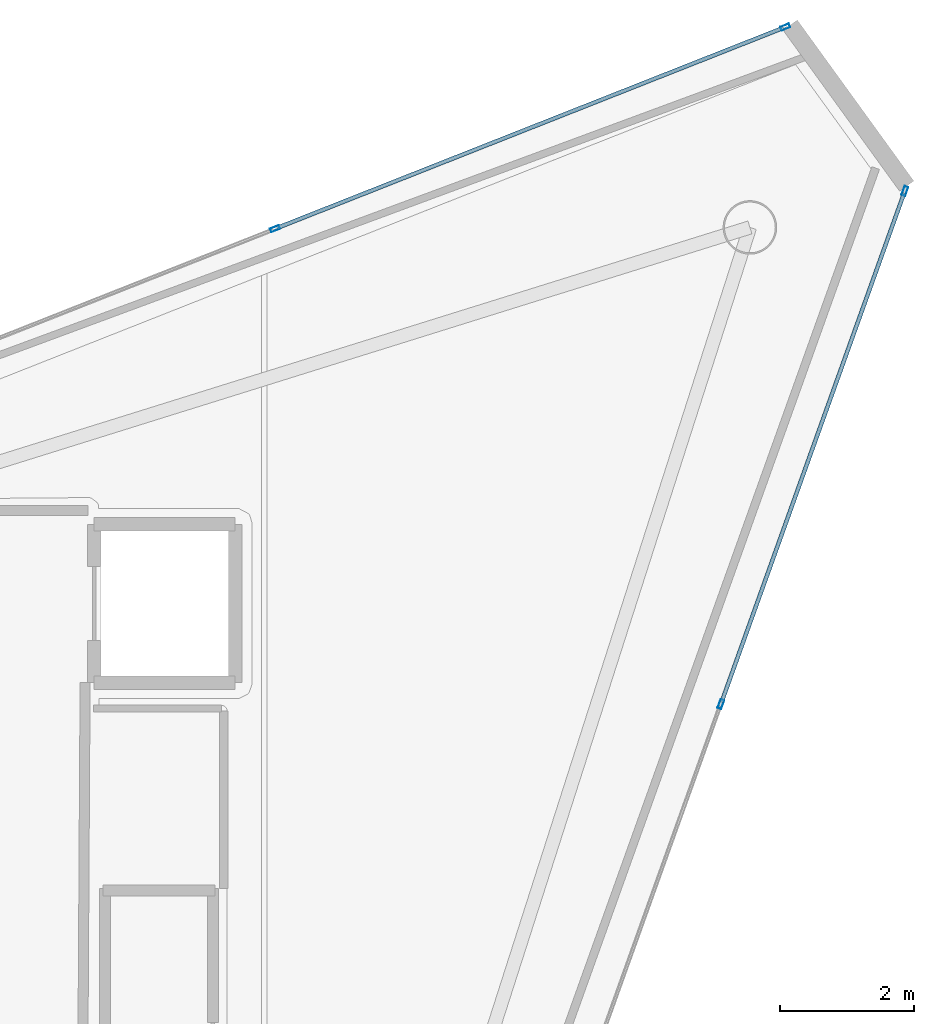
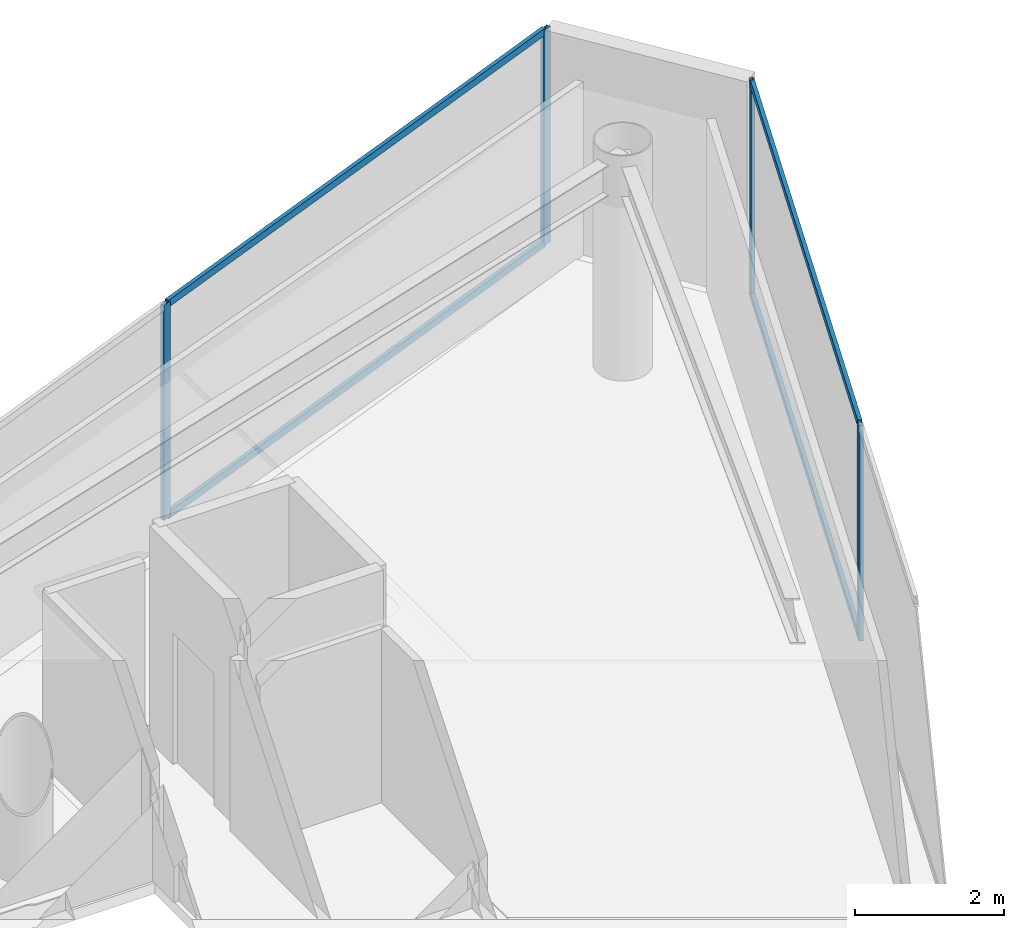
# One storey, part 14 of 19: 8 members, 2 elements without a shape of their own.
"""IFC4 building model written with IfcOpenShell, lengths in metres."""

from ifc_helpers import new_model, si_unit, direction, frame, origin, origin_2d, place, context, subcontext, project, spatial, hollow_rectangle, extrude, material, layer, layer_set, material_profile, profile_set, type_object, element, aggregate, save


model = new_model("IFC4")

# Units and contexts
model_context = context("Model", 3, precision=1e-05, world=origin(), true_north=direction((0.0, 1.0)))
body_context = subcontext(model_context, "Body", "Model", "MODEL_VIEW")
ifc_project = project(units=[si_unit("LENGTHUNIT", "METRE"), si_unit("AREAUNIT", "SQUARE_METRE"), si_unit("VOLUMEUNIT", "CUBIC_METRE"), si_unit("PLANEANGLEUNIT", "RADIAN"), si_unit("MASSUNIT", "GRAM", prefix="KILO")], contexts=[model_context])

# Site, building, storey
site_placement = place(None, origin())
site = spatial("IfcSite", under=ifc_project, at=site_placement, CompositionType="ELEMENT")
building_placement = place(site_placement, origin())
building = spatial("IfcBuilding", under=site, at=building_placement, Name="Qianvela Tower", CompositionType="ELEMENT")
storey_placement = place(building_placement, frame((0.0, 0.0, 344.39990234375)))
storey = spatial("IfcBuildingStorey", under=building, at=storey_placement, Name="L89", CompositionType="ELEMENT", Elevation=344.39990234375)

# Curtain wall, members
ifc_material_1 = material(Name="Anodised Architectural Aluminium and Low-E Glass", Category="aluminium")
ifc_layer = layer(ifc_material_1, 0.14990234375)
ifc_layer_set = layer_set([ifc_layer], Name="Anodised Architectural Aluminium and Low-E Glass")
curtain_wall_type = type_object("IfcCurtainWallType", Name="CW-COLIV-Z78", PredefinedType="USERDEFINED", material=ifc_layer_set)
curtain_wall_1_placement = place(storey_placement, origin())
curtain_wall_1 = element("IfcCurtainWall", 1, at=curtain_wall_1_placement, inside=storey, type_object=curtain_wall_type, Name="L89 CW-COLIV-Z78 Curtain Wall 02A", ObjectType="CURTAIN_WALL_SYSTEM", PredefinedType="USERDEFINED")
ifc_material_2 = material(Name="Anodised Architectural Aluminium 6063-T6", Category="aluminium")
ifc_material_profile_1 = material_profile(ifc_material_2, hollow_rectangle(XDim=0.06005859375, YDim=0.139892578125, WallThickness=0.00439453125, at=origin_2d()), Name="ALU-MULL-60x140")
ifc_profile_set_1 = profile_set([ifc_material_profile_1], Name="Anodised Architectural Aluminium 6063-T6")
member_type_1 = type_object("IfcMemberType", Name="CW-COLIV-Z78-MULL", PredefinedType="MULLION", material=ifc_profile_set_1)
member_1_placement = place(storey_placement, frame((51.753662109375, 42.6953125, 0.0), z_axis=(0.0, 0.0, 1.0), x_axis=(0.36758858111, -0.92998851339, 0.0)))
member_1 = element("IfcMember", 2, at=member_1_placement, type_object=member_type_1, Name="CW-6 mullion 1", PredefinedType="MULLION", context=body_context, shape_type="SweptSolid", body=[
    extrude(hollow_rectangle(XDim=0.06005859375, YDim=0.139892578125, WallThickness=0.00439453125, at=origin_2d()), origin(), (0.0, 0.0, 1.0), 3.52001953125),
])
member_2_placement = place(storey_placement, frame((44.146484375, 39.6884765625, 0.0), z_axis=(0.0, 0.0, 1.0), x_axis=(0.36758858111, -0.92998851339, 0.0)))
member_2 = element("IfcMember", 3, at=member_2_placement, type_object=member_type_1, Name="CW-6 mullion 2", PredefinedType="MULLION", context=body_context, shape_type="SweptSolid", body=[
    extrude(hollow_rectangle(XDim=0.06005859375, YDim=0.139892578125, WallThickness=0.00439453125, at=origin_2d()), origin(), (0.0, 0.0, 1.0), 3.52001953125),
])

curtain_wall_2_placement = place(storey_placement, origin())
curtain_wall_2 = element("IfcCurtainWall", 4, at=curtain_wall_2_placement, inside=storey, type_object=curtain_wall_type, Name="L89 CW-COLIV-Z78 Curtain Wall 06C", ObjectType="CURTAIN_WALL_SYSTEM", PredefinedType="USERDEFINED")
member_3_placement = place(storey_placement, frame((50.794921875, 32.599853515625, 0.0), z_axis=(0.0, 0.0, 1.0), x_axis=(-0.941311919381, 0.337537954061, 0.0)))
member_3 = element("IfcMember", 5, at=member_3_placement, type_object=member_type_1, Name="CW-6 mullion 2", PredefinedType="MULLION", context=body_context, shape_type="SweptSolid", body=[
    extrude(hollow_rectangle(XDim=0.06005859375, YDim=0.139892578125, WallThickness=0.00439453125, at=origin_2d()), origin(), (0.0, 0.0, 1.0), 3.52001953125),
])
member_4_placement = place(storey_placement, frame((53.5380859375, 40.249755859375, 0.0), z_axis=(0.0, 0.0, 1.0), x_axis=(-0.941311919381, 0.337537954061, 0.0)))
member_4 = element("IfcMember", 6, at=member_4_placement, type_object=member_type_1, Name="CW-6 mullion 3", PredefinedType="MULLION", context=body_context, shape_type="SweptSolid", body=[
    extrude(hollow_rectangle(XDim=0.06005859375, YDim=0.139892578125, WallThickness=0.00439453125, at=origin_2d()), origin(), (0.0, 0.0, 1.0), 3.52001953125),
])

# Member
ifc_material_3 = material(Name="Anodised Architectural Aluminium 6063-T6", Category="aluminium")
ifc_material_profile_2 = material_profile(ifc_material_3, hollow_rectangle(XDim=0.06005859375, YDim=0.114990234375, WallThickness=0.00390625, at=origin_2d()), Name="ALU-TRAN-60x115")
ifc_profile_set_2 = profile_set([ifc_material_profile_2], Name="Anodised Architectural Aluminium 6063-T6")
member_type_2 = type_object("IfcMemberType", Name="CW-COLIV-Z78-TRAN", PredefinedType="USERDEFINED", material=ifc_profile_set_2)
member_5_placement = place(storey_placement, frame((51.725830078125, 42.684326171875, 0.030029296875), z_axis=(-0.929986776405, -0.367592975601, 0.0), x_axis=(0.367592975601, -0.929986776405, 0.0)))
member_5 = element("IfcMember", 7, at=member_5_placement, type_object=member_type_2, Name="CW-6 transom 1.1", ObjectType="TRANSOM", PredefinedType="USERDEFINED", context=body_context, shape_type="SweptSolid", body=[
    extrude(hollow_rectangle(XDim=0.06005859375, YDim=0.114990234375, WallThickness=0.00390625, at=origin_2d()), origin(), (0.0, 0.0, 1.0), 8.1201171875),
])

member_6_placement = place(storey_placement, frame((51.725830078125, 42.684326171875, 3.489990234375), z_axis=(-0.929986776405, -0.367592975601, 0.0), x_axis=(0.367592975601, -0.929986776405, 0.0)))
member_6 = element("IfcMember", 8, at=member_6_placement, type_object=member_type_2, Name="CW-6 transom 1.2", ObjectType="TRANSOM", PredefinedType="USERDEFINED", context=body_context, shape_type="SweptSolid", body=[
    extrude(hollow_rectangle(XDim=0.06005859375, YDim=0.114990234375, WallThickness=0.00390625, at=origin_2d()), origin(), (0.0, 0.0, 1.0), 8.1201171875),
])

aggregate(curtain_wall_1, [member_1, member_2, member_5, member_6])

member_7_placement = place(storey_placement, frame((50.804931640625, 32.6279296875, 0.030029296875), z_axis=(0.33753820623, 0.941311828957, 0.0), x_axis=(-0.941311828957, 0.33753820623, 0.0)))
member_7 = element("IfcMember", 9, at=member_7_placement, type_object=member_type_2, Name="CW-6 transom 2.1", ObjectType="TRANSOM", PredefinedType="USERDEFINED", context=body_context, shape_type="SweptSolid", body=[
    extrude(hollow_rectangle(XDim=0.06005859375, YDim=0.114990234375, WallThickness=0.00390625, at=origin_2d()), origin(), (0.0, 0.0, 1.0), 8.06689453125),
])

member_8_placement = place(storey_placement, frame((50.804931640625, 32.6279296875, 3.489990234375), z_axis=(0.33753820623, 0.941311828957, 0.0), x_axis=(-0.941311828957, 0.33753820623, 0.0)))
member_8 = element("IfcMember", 10, at=member_8_placement, type_object=member_type_2, Name="CW-6 transom 2.2", ObjectType="TRANSOM", PredefinedType="USERDEFINED", context=body_context, shape_type="SweptSolid", body=[
    extrude(hollow_rectangle(XDim=0.06005859375, YDim=0.114990234375, WallThickness=0.00390625, at=origin_2d()), origin(), (0.0, 0.0, 1.0), 8.06689453125),
])

aggregate(curtain_wall_2, [member_3, member_4, member_7, member_8])

save(model, "model.ifc")
